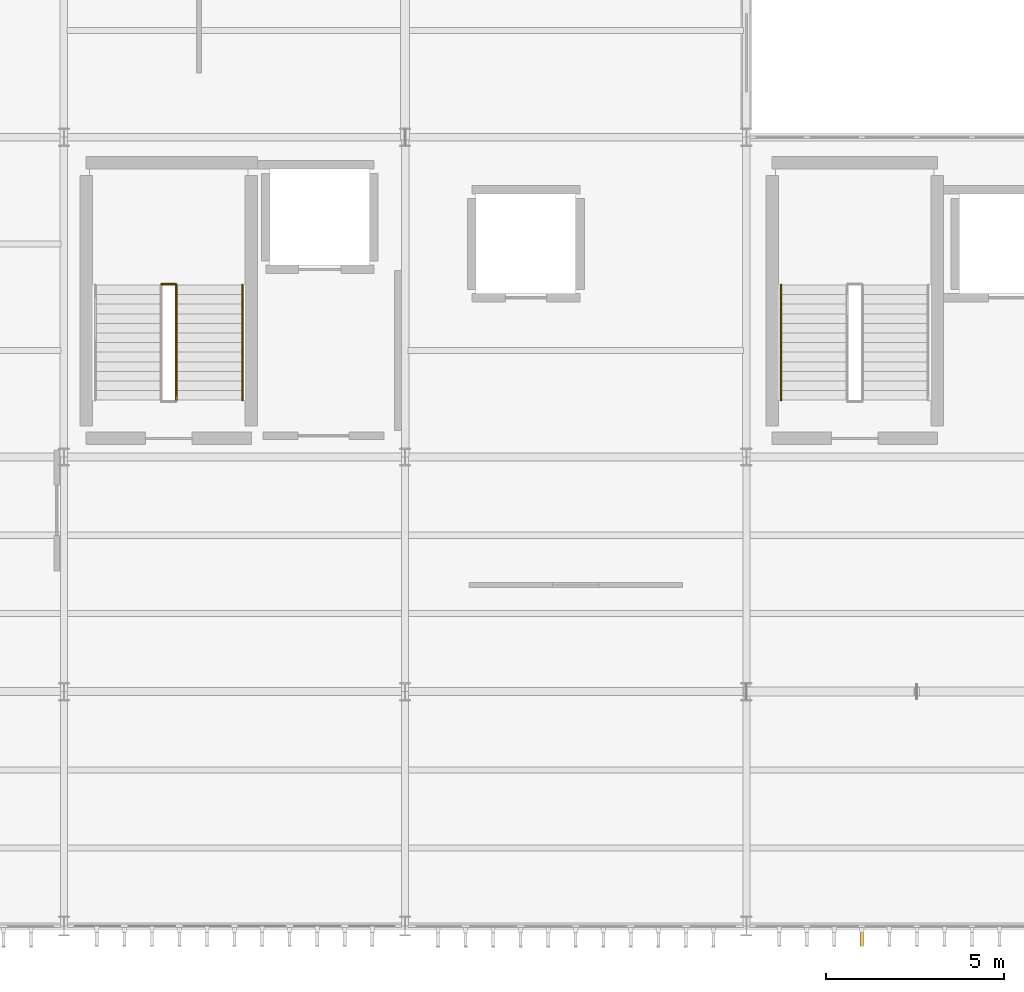
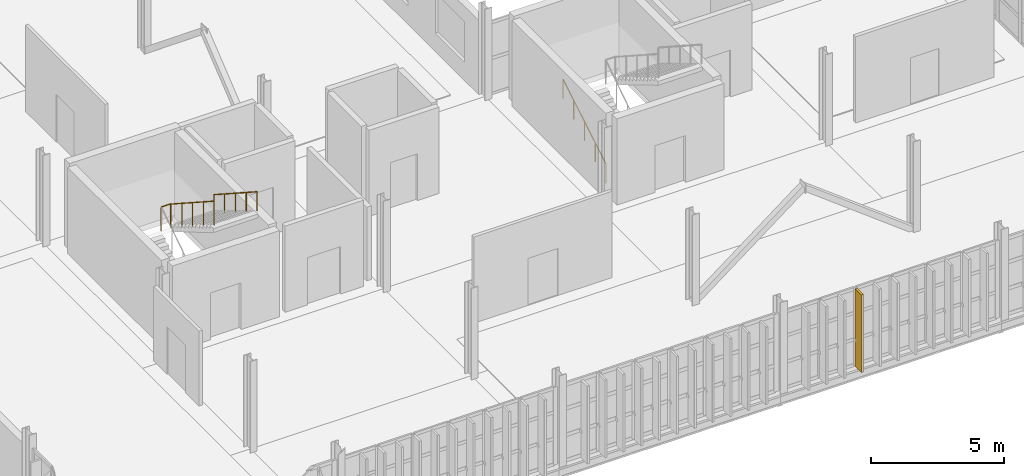
# One storey, part 44 of 52: 4 railings, 1 shading device.
"""IFC4 building model written with IfcOpenShell, lengths in metres."""

from ifc_helpers import new_model, si_unit, direction, frame, origin, origin_2d, place, context, subcontext, project, spatial, rectangle, circle, extrude, material, type_object, element, save


model = new_model("IFC4")

# Units and contexts
model_context = context("Model", 3, precision=1e-05, world=origin(), true_north=direction((0.0, 1.0)))
body_context = subcontext(model_context, "Body", "Model", "MODEL_VIEW")
ifc_project = project(units=[si_unit("LENGTHUNIT", "METRE"), si_unit("AREAUNIT", "SQUARE_METRE"), si_unit("VOLUMEUNIT", "CUBIC_METRE"), si_unit("PLANEANGLEUNIT", "RADIAN"), si_unit("MASSUNIT", "GRAM", prefix="KILO")], contexts=[model_context])

# Site, building, storey
site_placement = place(None, origin())
site = spatial("IfcSite", under=ifc_project, at=site_placement, CompositionType="ELEMENT")
building_placement = place(site_placement, origin())
building = spatial("IfcBuilding", under=site, at=building_placement, Name="Zarnetskaya Central Station", CompositionType="ELEMENT")
storey_placement = place(building_placement, frame((0.0, 0.0, 14.39990234375)))
storey = spatial("IfcBuildingStorey", under=building, at=storey_placement, Name="L03", CompositionType="ELEMENT", Elevation=14.39990234375)

# Railings
ifc_material_1 = material(Name="Steel S355", Category="steel")
railing_type_1 = type_object("IfcRailingType", Name="RAIL-HAND-900", PredefinedType="HANDRAIL", material=ifc_material_1)
railing_1_placement = place(storey_placement, frame((14.6201171875, 18.0400390625, 2.10009765625)))
element("IfcRailing", 1, at=railing_1_placement, inside=storey, type_object=railing_type_1, Name="Stair ST-C1 L03 flight 2 handrail", PredefinedType="HANDRAIL", context=body_context, shape_type="SweptSolid", body=[
    extrude(circle(Radius=0.02392578125, at=origin_2d()), frame((0.0, 0.0, 0.8759765625), z_axis=(0.0, -0.839140694364, 0.543914418877), x_axis=(1.0, 0.0, 0.0)), (0.0, 0.0, 1.0), 3.861083984375),
    extrude(circle(Radius=0.02099609375, at=origin_2d()), origin(), (0.0, 0.0, 1.0), 0.851806640625),
    extrude(circle(Radius=0.02099609375, at=origin_2d()), frame((0.0, -0.81005859375, 0.52490234375)), (0.0, 0.0, 1.0), 0.851806640625),
    extrude(circle(Radius=0.02099609375, at=origin_2d()), frame((0.0, -1.6201171875, 1.050048828125)), (0.0, 0.0, 1.0), 0.851806640625),
    extrude(circle(Radius=0.02099609375, at=origin_2d()), frame((0.0, -2.429931640625, 1.5751953125)), (0.0, 0.0, 1.0), 0.851806640625),
    extrude(circle(Radius=0.02099609375, at=origin_2d()), frame((0.0, -3.239990234375, 2.10009765625)), (0.0, 0.0, 1.0), 0.851806640625),
])
railing_2_placement = place(storey_placement, frame((29.780029296875, 14.800048828125, 0.16162109375)))
element("IfcRailing", 2, at=railing_2_placement, inside=storey, type_object=railing_type_1, Name="Stair ST-C3 L03 flight 1 handrail", PredefinedType="HANDRAIL", context=body_context, shape_type="SweptSolid", body=[
    extrude(circle(Radius=0.02392578125, at=origin_2d()), frame((0.0, 0.0, 0.8759765625), z_axis=(0.0, 0.858136976317, 0.513420811691), x_axis=(-1.0, 0.0, 0.0)), (0.0, 0.0, 1.0), 3.775634765625),
    extrude(circle(Radius=0.02099609375, at=origin_2d()), origin(), (0.0, 0.0, 1.0), 0.851806640625),
    extrude(circle(Radius=0.02099609375, at=origin_2d()), frame((0.0, 0.81005859375, 0.484619140625)), (0.0, 0.0, 1.0), 0.851806640625),
    extrude(circle(Radius=0.02099609375, at=origin_2d()), frame((0.0, 1.6201171875, 0.96923828125)), (0.0, 0.0, 1.0), 0.851806640625),
    extrude(circle(Radius=0.02099609375, at=origin_2d()), frame((0.0, 2.429931640625, 1.453857421875)), (0.0, 0.0, 1.0), 0.851806640625),
    extrude(circle(Radius=0.02099609375, at=origin_2d()), frame((0.0, 3.239990234375, 1.9384765625)), (0.0, 0.0, 1.0), 0.851806640625),
])
railing_type_2 = type_object("IfcRailingType", Name="RAIL-STAIR-GRD", PredefinedType="BALUSTRADE", material=ifc_material_1)
railing_3_placement = place(storey_placement, frame((12.340087890625, 18.06005859375, 2.10009765625)))
element("IfcRailing", 3, at=railing_3_placement, inside=storey, type_object=railing_type_2, Name="Stair ST-C1 L03 half-landing well guard", PredefinedType="BALUSTRADE", context=body_context, shape_type="SweptSolid", body=[
    extrude(circle(Radius=0.02392578125, at=origin_2d()), frame((0.0, 0.0, 1.09619140625), z_axis=(1.0, 0.0, 0.0), x_axis=(0.0, 1.0, 0.0)), (0.0, 0.0, 1.0), 0.419921875),
    extrude(circle(Radius=0.02099609375, at=origin_2d()), origin(), (0.0, 0.0, 1.0), 1.072021484375),
    extrude(circle(Radius=0.02099609375, at=origin_2d()), frame((0.419921875, 0.0, 0.0)), (0.0, 0.0, 1.0), 1.072021484375),
])
railing_4_placement = place(storey_placement, frame((12.760009765625, 18.0400390625, 2.10009765625)))
element("IfcRailing", 4, at=railing_4_placement, inside=storey, type_object=railing_type_2, Name="Stair ST-C1 L03 flight 2 well guard", PredefinedType="BALUSTRADE", context=body_context, shape_type="SweptSolid", body=[
    extrude(circle(Radius=0.02392578125, at=origin_2d()), frame((0.0, 0.0, 1.09619140625), z_axis=(0.0, -0.839140694364, 0.543914418877), x_axis=(1.0, 0.0, 0.0)), (0.0, 0.0, 1.0), 3.861083984375),
    extrude(circle(Radius=0.02099609375, at=origin_2d()), origin(), (0.0, 0.0, 1.0), 1.072021484375),
    extrude(circle(Radius=0.02099609375, at=origin_2d()), frame((0.0, -0.81005859375, 0.52490234375)), (0.0, 0.0, 1.0), 1.072021484375),
    extrude(circle(Radius=0.02099609375, at=origin_2d()), frame((0.0, -1.6201171875, 1.050048828125)), (0.0, 0.0, 1.0), 1.072021484375),
    extrude(circle(Radius=0.02099609375, at=origin_2d()), frame((0.0, -2.429931640625, 1.5751953125)), (0.0, 0.0, 1.0), 1.072021484375),
    extrude(circle(Radius=0.02099609375, at=origin_2d()), frame((0.0, -3.239990234375, 2.10009765625)), (0.0, 0.0, 1.0), 1.072021484375),
])

# Shading device
ifc_material_2 = material(Name="Larch glulam GL28h", Category="wood")
shading_device_type = type_object("IfcShadingDeviceType", Name="SHD-LARCH-FIN-A", PredefinedType="USERDEFINED", material=ifc_material_2)
shading_device_placement = place(storey_placement, frame((32.050048828125, -0.320068359375, 0.0), z_axis=(0.0, 0.0, 1.0), x_axis=(-1.0, 0.0, 0.0)))
element("IfcShadingDevice", 5, at=shading_device_placement, inside=storey, type_object=shading_device_type, Name="Vertical larch timber fin CW-L03-043-08", ObjectType="TIMBER FIN", PredefinedType="USERDEFINED", context=body_context, shape_type="SweptSolid", body=[
    extrude(rectangle(XDim=0.090087890625, YDim=0.4599609375, at=origin_2d()), origin(), (0.0, 0.0, 1.0), 3.56005859375),
])

save(model, "model.ifc")
